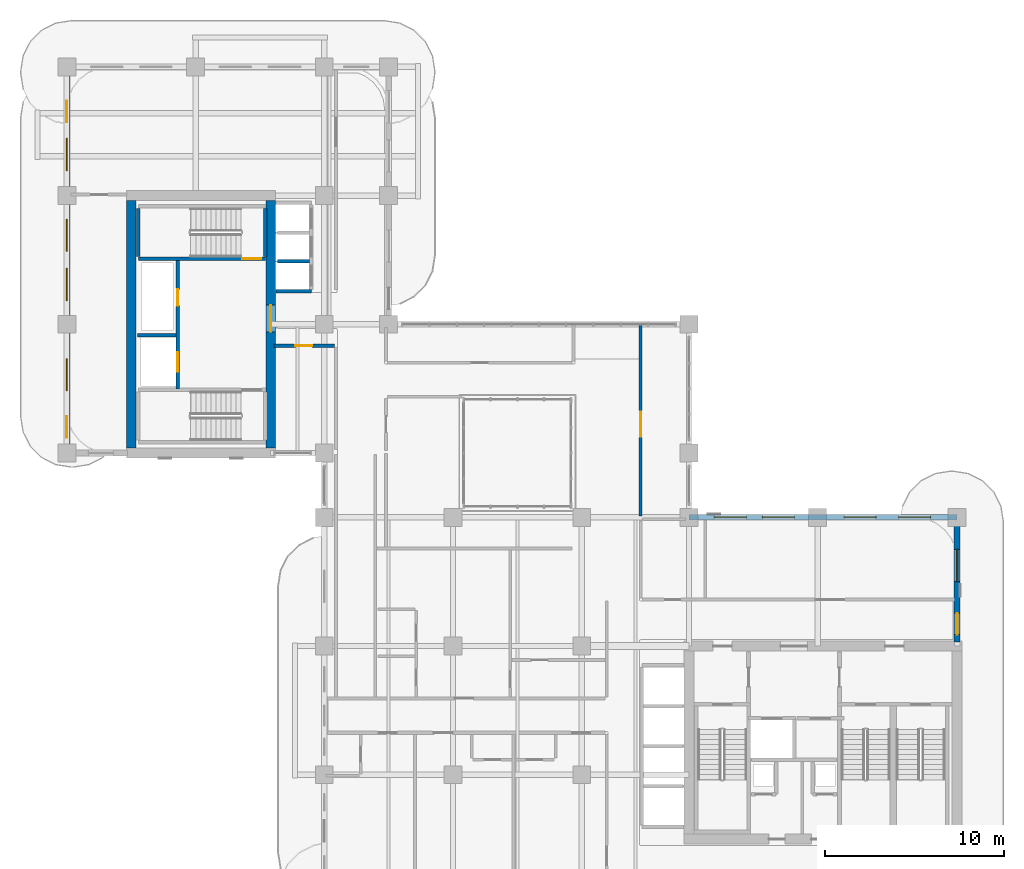
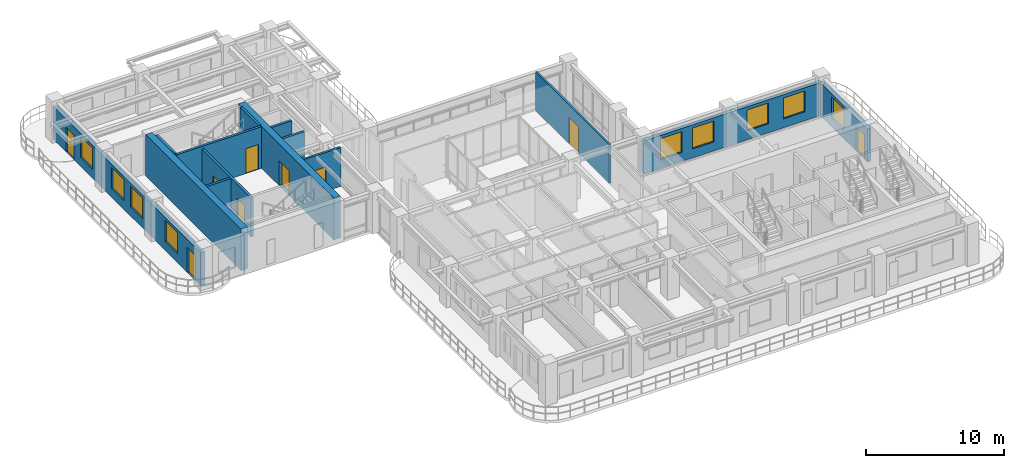
# One storey, part 14 of 20: 14 walls, 9 doors, 9 windows, 18 openings.
"""IFC4 building model written with IfcOpenShell, lengths in metres."""

from ifc_helpers import new_model, si_unit, derived_unit, direction, frame, frame_2d, origin, place, context, subcontext, project, spatial, rectangle, extrude, source, transform, mapped, material, layer, layer_set, type_object, type_shapes, element, fill, save


model = new_model("IFC4")

# Units and contexts
model_context = context("Model", 3, precision=1e-05, world=origin(), true_north=direction((0.0, 1.0)))
body_context = subcontext(model_context, "Body", "Model", "MODEL_VIEW")
ifc_project = project(units=[si_unit("LENGTHUNIT", "METRE"), si_unit("AREAUNIT", "SQUARE_METRE"), si_unit("VOLUMEUNIT", "CUBIC_METRE"), si_unit("PLANEANGLEUNIT", "RADIAN"), si_unit("MASSUNIT", "GRAM", prefix="KILO"), si_unit("THERMODYNAMICTEMPERATUREUNIT", "KELVIN"), si_unit("POWERUNIT", "WATT"), derived_unit("THERMALTRANSMITTANCEUNIT", [(si_unit("POWERUNIT", "WATT"), 1), (si_unit("AREAUNIT", "SQUARE_METRE"), -1), (si_unit("THERMODYNAMICTEMPERATUREUNIT", "KELVIN"), -1)])], contexts=[model_context])

# Site, building, storey
site_placement = place(None, origin())
site = spatial("IfcSite", under=ifc_project, at=site_placement, CompositionType="ELEMENT")
building_placement = place(site_placement, origin())
building = spatial("IfcBuilding", under=site, at=building_placement, Name="Zahravan Archway Hotel and Residences", CompositionType="ELEMENT")
storey_placement = place(building_placement, frame((0.0, 0.0, 130.300048828125)))
storey = spatial("IfcBuildingStorey", under=building, at=storey_placement, Name="L32", CompositionType="ELEMENT", Elevation=130.300048828125)

# Wall
ifc_material_1 = material(Name="Concrete C70/85", Category="concrete")
ifc_layer_1 = layer(ifc_material_1, 0.550048828125, Name="Concrete C70/85", Category="concrete")
ifc_layer_set_1 = layer_set([ifc_layer_1], Name="Concrete C70/85")
wall_type_1 = type_object("IfcWallType", Name="CW-CORE-550", PredefinedType="SHEAR", material=ifc_layer_set_1)
wall_1_placement = place(storey_placement, frame((3.60009765625, 25.47509765625, 0.0), z_axis=(0.0, 0.0, 1.0), x_axis=(0.0, 1.0, 0.0)))
element("IfcWall", 1, at=wall_1_placement, inside=storey, type_object=wall_type_1, Name="L32 Core B Shear W Wall 550 mm", PredefinedType="SHEAR", context=body_context, shape_type="SweptSolid", body=[
    extrude(rectangle(XDim=13.849853515625, YDim=0.550048828125, at=frame_2d((6.9248046875, 0.0))), origin(), (0.0, 0.0, 1.0), 3.699951171875),
])

# Wall, opening, door
wall_2_placement = place(storey_placement, frame((11.39990234375, 25.47509765625, 0.0), z_axis=(0.0, 0.0, 1.0), x_axis=(0.0, 1.0, 0.0)))
wall_2 = element("IfcWall", 2, at=wall_2_placement, inside=storey, type_object=wall_type_1, Name="L32 Core B Shear E Wall 550 mm", PredefinedType="SHEAR", context=body_context, shape_type="SweptSolid", body=[
    extrude(rectangle(XDim=13.849853515625, YDim=0.550048828125, at=frame_2d((6.9248046875, 0.0))), origin(), (0.0, 0.0, 1.0), 3.699951171875),
])
opening_1_placement = place(wall_2_placement, frame((6.4951171875, 0.0, 0.0)))
opening_1 = element("IfcOpeningElement", 3, at=opening_1_placement, cuts=wall_2, Name="Opening FD-L1", PredefinedType="OPENING", context=body_context, shape_type="SweptSolid", body=[
    extrude(rectangle(XDim=1.5, YDim=2.199951171875, at=frame_2d((0.75, 1.10009765625))), frame((0.0, 0.28515625, 0.0), z_axis=(0.0, -1.0, 0.0), x_axis=(1.0, 0.0, 0.0)), (0.0, 0.0, 1.0), 0.570068359375),
])
ifc_material_2 = material(Name="Fire-Rated Painted Steel", Category="steel")
door_type_1 = type_object("IfcDoorType", Name="FD-LOBBY-1500", OperationType="DOUBLE_DOOR_SINGLE_SWING", PredefinedType="DOOR", material=ifc_material_2)
shared_shape_1 = source(origin(), body_context, "Body", "SweptSolid", [
    extrude(rectangle(XDim=1.5, YDim=2.199951171875, at=frame_2d((0.75, 1.10009765625))), frame((0.0, 0.02490234375, 0.0), z_axis=(0.0, -1.0, 0.0), x_axis=(1.0, 0.0, 0.0)), (0.0, 0.0, 1.0), 0.050048828125),
])
type_shapes(door_type_1, [shared_shape_1])
door_1_placement = place(opening_1_placement, origin())
door_1 = element("IfcDoor", 4, at=door_1_placement, inside=storey, type_object=door_type_1, Name="L32 Core B FSAE Lobby Door", OperationType="DOUBLE_DOOR_SINGLE_SWING", OverallHeight=2.199951171875, OverallWidth=1.5, PredefinedType="DOOR", context=body_context, shape_type="MappedRepresentation", body=[
    mapped(shared_shape_1, transform((0.0, 0.0, 0.0), scale=1.0)),
])
fill(opening_1, door_1)

# Wall, openings, door, window
ifc_material_3 = material(Name="Agra Buff Sandstone & Insulated Backup", Category="masonry")
ifc_layer_2 = layer(ifc_material_3, 0.320068359375, Name="Agra Buff Sandstone & Insulated Backup", Category="masonry")
ifc_layer_set_2 = layer_set([ifc_layer_2], Name="Agra Buff Sandstone & Insulated Backup")
wall_type_2 = type_object("IfcWallType", Name="EW-SAND-320", PredefinedType="SOLIDWALL", material=ifc_layer_set_2)
wall_3_placement = place(storey_placement, frame((49.800048828125, 14.6201171875, 0.0), z_axis=(0.0, 0.0, 1.0), x_axis=(0.0, 1.0, 0.0)))
wall_3 = element("IfcWall", 5, at=wall_3_placement, inside=storey, type_object=wall_type_2, Name="L32 Exterior Sandstone Wall WA-EN", PredefinedType="SOLIDWALL", context=body_context, shape_type="SweptSolid", body=[
    extrude(rectangle(XDim=6.929931640625, YDim=0.320068359375, at=frame_2d((3.46484375, 0.0))), origin(), (0.0, 0.0, 1.0), 2.93505859375),
])
opening_2_placement = place(wall_3_placement, frame((0.419921875, 0.0, 0.0)))
opening_2 = element("IfcOpeningElement", 6, at=opening_2_placement, cuts=wall_3, Name="Opening ED-BL1", PredefinedType="OPENING", context=body_context, shape_type="SweptSolid", body=[
    extrude(rectangle(XDim=1.199951171875, YDim=2.199951171875, at=frame_2d((0.60009765625, 1.10009765625))), frame((0.0, 0.169921875, 0.0), z_axis=(0.0, -1.0, 0.0), x_axis=(1.0, 0.0, 0.0)), (0.0, 0.0, 1.0), 0.340087890625),
])
opening_3_placement = place(wall_3_placement, frame((3.384033203125, 0.0, 0.800048828125)))
opening_3 = element("IfcOpeningElement", 7, at=opening_3_placement, cuts=wall_3, Name="Opening W-02", PredefinedType="OPENING", context=body_context, shape_type="SweptSolid", body=[
    extrude(rectangle(XDim=1.800048828125, YDim=1.85009765625, at=frame_2d((0.89990234375, 0.925048828125))), frame((0.0, 0.169921875, 0.0), z_axis=(0.0, -1.0, 0.0), x_axis=(1.0, 0.0, 0.0)), (0.0, 0.0, 1.0), 0.340087890625),
])
ifc_material_4 = material(Name="Bronze-Anodized Glazed Aluminium", Category="aluminium")
door_type_2 = type_object("IfcDoorType", Name="ED-BALC-1200", OperationType="SLIDING_TO_LEFT", PredefinedType="DOOR", material=ifc_material_4)
shared_shape_2 = source(origin(), body_context, "Body", "SweptSolid", [
    extrude(rectangle(XDim=1.199951171875, YDim=2.199951171875, at=frame_2d((0.60009765625, 1.10009765625))), frame((0.0, 0.02490234375, 0.0), z_axis=(0.0, -1.0, 0.0), x_axis=(1.0, 0.0, 0.0)), (0.0, 0.0, 1.0), 0.050048828125),
])
type_shapes(door_type_2, [shared_shape_2])
door_2_placement = place(opening_2_placement, origin())
door_2 = element("IfcDoor", 8, at=door_2_placement, inside=storey, type_object=door_type_2, Name="L32 Outdoor Access Sliding Door (SLB-BAL-L32-EA)", OperationType="SLIDING_TO_LEFT", OverallHeight=2.199951171875, OverallWidth=1.199951171875, PredefinedType="DOOR", context=body_context, shape_type="MappedRepresentation", body=[
    mapped(shared_shape_2, transform((0.0, 0.0, 0.0), scale=1.0)),
])
fill(opening_2, door_2)
ifc_material_5 = material(Name="Bronze-Anodized Thermal-Break Aluminium & Low-E Glass", Category="aluminium")
window_type = type_object("IfcWindowType", Name="WIN-TWR-1800", PartitioningType="DOUBLE_PANEL_VERTICAL", PredefinedType="WINDOW", material=ifc_material_5)
shared_shape_3 = source(origin(), body_context, "Body", "SweptSolid", [
    extrude(rectangle(XDim=1.800048828125, YDim=1.85009765625, at=frame_2d((0.89990234375, 0.925048828125))), frame((0.0, 0.030029296875, 0.0), z_axis=(0.0, -1.0, 0.0), x_axis=(1.0, 0.0, 0.0)), (0.0, 0.0, 1.0), 0.06005859375),
])
type_shapes(window_type, [shared_shape_3])
window_1_placement = place(opening_3_placement, origin())
window_1 = element("IfcWindow", 9, at=window_1_placement, inside=storey, type_object=window_type, Name="L32 Loggia Window 10", OverallHeight=1.85009765625, OverallWidth=1.800048828125, PartitioningType="DOUBLE_PANEL_VERTICAL", PredefinedType="WINDOW", context=body_context, shape_type="MappedRepresentation", body=[
    mapped(shared_shape_3, transform((0.0, 0.0, 0.0), scale=1.0)),
])
fill(opening_3, window_1)

# Wall, openings, windows
wall_4_placement = place(storey_placement, frame((34.800048828125, 21.60009765625, 0.0), z_axis=(0.0, 0.0, 1.0), x_axis=(1.0, 0.0, 0.0)))
wall_4 = element("IfcWall", 10, at=wall_4_placement, inside=storey, type_object=wall_type_2, Name="L32 Exterior Sandstone Wall WA-NE", PredefinedType="SOLIDWALL", context=body_context, shape_type="SweptSolid", body=[
    extrude(rectangle(XDim=15.0, YDim=0.320068359375, at=frame_2d((7.5, 0.0))), origin(), (0.0, 0.0, 1.0), 2.93505859375),
])
opening_4_placement = place(wall_4_placement, frame((1.406005859375, 0.0, 0.800048828125)))
opening_4 = element("IfcOpeningElement", 11, at=opening_4_placement, cuts=wall_4, Name="Opening W-02", PredefinedType="OPENING", context=body_context, shape_type="SweptSolid", body=[
    extrude(rectangle(XDim=1.800048828125, YDim=1.85009765625, at=frame_2d((0.89990234375, 0.925048828125))), frame((0.0, 0.169921875, 0.0), z_axis=(0.0, -1.0, 0.0), x_axis=(1.0, 0.0, 0.0)), (0.0, 0.0, 1.0), 0.340087890625),
])
opening_5_placement = place(wall_4_placement, frame((4.10205078125, 0.0, 0.800048828125)))
opening_5 = element("IfcOpeningElement", 12, at=opening_5_placement, cuts=wall_4, Name="Opening W-02", PredefinedType="OPENING", context=body_context, shape_type="SweptSolid", body=[
    extrude(rectangle(XDim=1.800048828125, YDim=1.85009765625, at=frame_2d((0.89990234375, 0.925048828125))), frame((0.0, 0.169921875, 0.0), z_axis=(0.0, -1.0, 0.0), x_axis=(1.0, 0.0, 0.0)), (0.0, 0.0, 1.0), 0.340087890625),
])
opening_6_placement = place(wall_4_placement, frame((8.675048828125, 0.0, 0.800048828125)))
opening_6 = element("IfcOpeningElement", 13, at=opening_6_placement, cuts=wall_4, Name="Opening W-02", PredefinedType="OPENING", context=body_context, shape_type="SweptSolid", body=[
    extrude(rectangle(XDim=1.800048828125, YDim=1.85009765625, at=frame_2d((0.89990234375, 0.925048828125))), frame((0.0, 0.169921875, 0.0), z_axis=(0.0, -1.0, 0.0), x_axis=(1.0, 0.0, 0.0)), (0.0, 0.0, 1.0), 0.340087890625),
])
opening_7_placement = place(wall_4_placement, frame((11.72509765625, 0.0, 0.800048828125)))
opening_7 = element("IfcOpeningElement", 14, at=opening_7_placement, cuts=wall_4, Name="Opening W-02", PredefinedType="OPENING", context=body_context, shape_type="SweptSolid", body=[
    extrude(rectangle(XDim=1.800048828125, YDim=1.85009765625, at=frame_2d((0.89990234375, 0.925048828125))), frame((0.0, 0.169921875, 0.0), z_axis=(0.0, -1.0, 0.0), x_axis=(1.0, 0.0, 0.0)), (0.0, 0.0, 1.0), 0.340087890625),
])
window_2_placement = place(opening_4_placement, origin())
window_2 = element("IfcWindow", 15, at=window_2_placement, inside=storey, type_object=window_type, Name="L32 Loggia Window 11", OverallHeight=1.85009765625, OverallWidth=1.800048828125, PartitioningType="DOUBLE_PANEL_VERTICAL", PredefinedType="WINDOW", context=body_context, shape_type="MappedRepresentation", body=[
    mapped(shared_shape_3, transform((0.0, 0.0, 0.0), scale=1.0)),
])
fill(opening_4, window_2)
window_3_placement = place(opening_5_placement, origin())
window_3 = element("IfcWindow", 16, at=window_3_placement, inside=storey, type_object=window_type, Name="L32 Loggia Window 12", OverallHeight=1.85009765625, OverallWidth=1.800048828125, PartitioningType="DOUBLE_PANEL_VERTICAL", PredefinedType="WINDOW", context=body_context, shape_type="MappedRepresentation", body=[
    mapped(shared_shape_3, transform((0.0, 0.0, 0.0), scale=1.0)),
])
fill(opening_5, window_3)
window_4_placement = place(opening_6_placement, origin())
window_4 = element("IfcWindow", 17, at=window_4_placement, inside=storey, type_object=window_type, Name="L32 Loggia Window 13", OverallHeight=1.85009765625, OverallWidth=1.800048828125, PartitioningType="DOUBLE_PANEL_VERTICAL", PredefinedType="WINDOW", context=body_context, shape_type="MappedRepresentation", body=[
    mapped(shared_shape_3, transform((0.0, 0.0, 0.0), scale=1.0)),
])
fill(opening_6, window_4)
window_5_placement = place(opening_7_placement, origin())
window_5 = element("IfcWindow", 18, at=window_5_placement, inside=storey, type_object=window_type, Name="L32 Loggia Window 14", OverallHeight=1.85009765625, OverallWidth=1.800048828125, PartitioningType="DOUBLE_PANEL_VERTICAL", PredefinedType="WINDOW", context=body_context, shape_type="MappedRepresentation", body=[
    mapped(shared_shape_3, transform((0.0, 0.0, 0.0), scale=1.0)),
])
fill(opening_7, window_5)

# Wall, openings, doors, windows
wall_5_placement = place(storey_placement, frame((0.0, 25.25, 0.0), z_axis=(0.0, 0.0, 1.0), x_axis=(0.0, 1.0, 0.0)))
wall_5 = element("IfcWall", 19, at=wall_5_placement, inside=storey, type_object=wall_type_2, Name="L32 Exterior Sandstone Wall WB-W", PredefinedType="SOLIDWALL", context=body_context, shape_type="SweptSolid", body=[
    extrude(rectangle(XDim=21.5, YDim=0.320068359375, at=frame_2d((10.75, 0.0))), origin(), (0.0, 0.0, 1.0), 2.93505859375),
])
opening_8_placement = place(wall_5_placement, frame((18.449951171875, 0.0, 0.0)))
opening_8 = element("IfcOpeningElement", 20, at=opening_8_placement, cuts=wall_5, Name="Opening ED-BL1", PredefinedType="OPENING", context=body_context, shape_type="SweptSolid", body=[
    extrude(rectangle(XDim=1.199951171875, YDim=2.199951171875, at=frame_2d((0.60009765625, 1.10009765625))), frame((0.0, 0.169921875, 0.0), z_axis=(0.0, -1.0, 0.0), x_axis=(1.0, 0.0, 0.0)), (0.0, 0.0, 1.0), 0.340087890625),
])
opening_9_placement = place(wall_5_placement, frame((0.800048828125, 0.0, 0.0)))
opening_9 = element("IfcOpeningElement", 21, at=opening_9_placement, cuts=wall_5, Name="Opening ED-BL1", PredefinedType="OPENING", context=body_context, shape_type="SweptSolid", body=[
    extrude(rectangle(XDim=1.199951171875, YDim=2.199951171875, at=frame_2d((0.60009765625, 1.10009765625))), frame((0.0, 0.169921875, 0.0), z_axis=(0.0, -1.0, 0.0), x_axis=(1.0, 0.0, 0.0)), (0.0, 0.0, 1.0), 0.340087890625),
])
opening_10_placement = place(wall_5_placement, frame((3.425048828125, 0.0, 0.800048828125)))
opening_10 = element("IfcOpeningElement", 22, at=opening_10_placement, cuts=wall_5, Name="Opening W-02", PredefinedType="OPENING", context=body_context, shape_type="SweptSolid", body=[
    extrude(rectangle(XDim=1.800048828125, YDim=1.85009765625, at=frame_2d((0.89990234375, 0.925048828125))), frame((0.0, 0.169921875, 0.0), z_axis=(0.0, -1.0, 0.0), x_axis=(1.0, 0.0, 0.0)), (0.0, 0.0, 1.0), 0.340087890625),
])
opening_11_placement = place(wall_5_placement, frame((8.47509765625, 0.0, 0.800048828125)))
opening_11 = element("IfcOpeningElement", 23, at=opening_11_placement, cuts=wall_5, Name="Opening W-02", PredefinedType="OPENING", context=body_context, shape_type="SweptSolid", body=[
    extrude(rectangle(XDim=1.800048828125, YDim=1.85009765625, at=frame_2d((0.89990234375, 0.925048828125))), frame((0.0, 0.169921875, 0.0), z_axis=(0.0, -1.0, 0.0), x_axis=(1.0, 0.0, 0.0)), (0.0, 0.0, 1.0), 0.340087890625),
])
opening_12_placement = place(wall_5_placement, frame((11.22509765625, 0.0, 0.800048828125)))
opening_12 = element("IfcOpeningElement", 24, at=opening_12_placement, cuts=wall_5, Name="Opening W-02", PredefinedType="OPENING", context=body_context, shape_type="SweptSolid", body=[
    extrude(rectangle(XDim=1.800048828125, YDim=1.85009765625, at=frame_2d((0.89990234375, 0.925048828125))), frame((0.0, 0.169921875, 0.0), z_axis=(0.0, -1.0, 0.0), x_axis=(1.0, 0.0, 0.0)), (0.0, 0.0, 1.0), 0.340087890625),
])
opening_13_placement = place(wall_5_placement, frame((15.75, 0.0, 0.800048828125)))
opening_13 = element("IfcOpeningElement", 25, at=opening_13_placement, cuts=wall_5, Name="Opening W-02", PredefinedType="OPENING", context=body_context, shape_type="SweptSolid", body=[
    extrude(rectangle(XDim=1.800048828125, YDim=1.85009765625, at=frame_2d((0.89990234375, 0.925048828125))), frame((0.0, 0.169921875, 0.0), z_axis=(0.0, -1.0, 0.0), x_axis=(1.0, 0.0, 0.0)), (0.0, 0.0, 1.0), 0.340087890625),
])
door_3_placement = place(opening_8_placement, origin())
door_3 = element("IfcDoor", 26, at=door_3_placement, inside=storey, type_object=door_type_2, Name="L32 Outdoor Access Sliding Door (SLB-BAL-L32-NB)", OperationType="SLIDING_TO_LEFT", OverallHeight=2.199951171875, OverallWidth=1.199951171875, PredefinedType="DOOR", context=body_context, shape_type="MappedRepresentation", body=[
    mapped(shared_shape_2, transform((0.0, 0.0, 0.0), scale=1.0)),
])
fill(opening_8, door_3)
door_4_placement = place(opening_9_placement, origin())
door_4 = element("IfcDoor", 27, at=door_4_placement, inside=storey, type_object=door_type_2, Name="L32 Outdoor Access Sliding Door (SLB-BAL-L32-WB)", OperationType="SLIDING_TO_LEFT", OverallHeight=2.199951171875, OverallWidth=1.199951171875, PredefinedType="DOOR", context=body_context, shape_type="MappedRepresentation", body=[
    mapped(shared_shape_2, transform((0.0, 0.0, 0.0), scale=1.0)),
])
fill(opening_9, door_4)
window_6_placement = place(opening_10_placement, origin())
window_6 = element("IfcWindow", 28, at=window_6_placement, inside=storey, type_object=window_type, Name="L32 Loggia Window 22", OverallHeight=1.85009765625, OverallWidth=1.800048828125, PartitioningType="DOUBLE_PANEL_VERTICAL", PredefinedType="WINDOW", context=body_context, shape_type="MappedRepresentation", body=[
    mapped(shared_shape_3, transform((0.0, 0.0, 0.0), scale=1.0)),
])
fill(opening_10, window_6)
window_7_placement = place(opening_11_placement, origin())
window_7 = element("IfcWindow", 29, at=window_7_placement, inside=storey, type_object=window_type, Name="L32 Loggia Window 23", OverallHeight=1.85009765625, OverallWidth=1.800048828125, PartitioningType="DOUBLE_PANEL_VERTICAL", PredefinedType="WINDOW", context=body_context, shape_type="MappedRepresentation", body=[
    mapped(shared_shape_3, transform((0.0, 0.0, 0.0), scale=1.0)),
])
fill(opening_11, window_7)
window_8_placement = place(opening_12_placement, origin())
window_8 = element("IfcWindow", 30, at=window_8_placement, inside=storey, type_object=window_type, Name="L32 Loggia Window 24", OverallHeight=1.85009765625, OverallWidth=1.800048828125, PartitioningType="DOUBLE_PANEL_VERTICAL", PredefinedType="WINDOW", context=body_context, shape_type="MappedRepresentation", body=[
    mapped(shared_shape_3, transform((0.0, 0.0, 0.0), scale=1.0)),
])
fill(opening_12, window_8)
window_9_placement = place(opening_13_placement, origin())
window_9 = element("IfcWindow", 31, at=window_9_placement, inside=storey, type_object=window_type, Name="L32 Loggia Window 25", OverallHeight=1.85009765625, OverallWidth=1.800048828125, PartitioningType="DOUBLE_PANEL_VERTICAL", PredefinedType="WINDOW", context=body_context, shape_type="MappedRepresentation", body=[
    mapped(shared_shape_3, transform((0.0, 0.0, 0.0), scale=1.0)),
])
fill(opening_13, window_9)

# Wall, openings, doors
ifc_material_6 = material(Name="Fire-Rated Gypsum & Concrete Block", Category="concrete")
ifc_layer_3 = layer(ifc_material_6, 0.199951171875, Name="Fire-Rated Gypsum & Concrete Block", Category="concrete")
ifc_layer_set_3 = layer_set([ifc_layer_3], Name="Fire-Rated Gypsum & Concrete Block")
wall_type_3 = type_object("IfcWallType", Name="PW-SHAFT-200", PredefinedType="PARTITIONING", material=ifc_layer_set_3)
wall_6_placement = place(storey_placement, frame((6.199951171875, 28.7900390625, 0.0), z_axis=(0.0, 0.0, 1.0), x_axis=(0.0, 1.0, 0.0)))
wall_6 = element("IfcWall", 32, at=wall_6_placement, inside=storey, type_object=wall_type_3, Name="L32 Partition CB-FL3E", PredefinedType="PARTITIONING", context=body_context, shape_type="SweptSolid", body=[
    extrude(rectangle(XDim=7.219970703125, YDim=0.199951171875, at=frame_2d((3.60986328125, 0.0))), origin(), (0.0, 0.0, 1.0), 3.449951171875),
])
opening_14_placement = place(wall_6_placement, frame((4.659912109375, 0.0, 0.0)))
opening_14 = element("IfcOpeningElement", 33, at=opening_14_placement, cuts=wall_6, Name="Opening FD-R1", PredefinedType="OPENING", context=body_context, shape_type="SweptSolid", body=[
    extrude(rectangle(XDim=0.89990234375, YDim=2.10009765625, at=frame_2d((0.449951171875, 1.050048828125))), frame((0.0, 0.10986328125, 0.0), z_axis=(0.0, -1.0, 0.0), x_axis=(1.0, 0.0, 0.0)), (0.0, 0.0, 1.0), 0.219970703125),
])
opening_15_placement = place(wall_6_placement, frame((0.9599609375, 0.0, 0.0)))
opening_15 = element("IfcOpeningElement", 34, at=opening_15_placement, cuts=wall_6, Name="Opening LD", PredefinedType="OPENING", context=body_context, shape_type="SweptSolid", body=[
    extrude(rectangle(XDim=1.10009765625, YDim=2.199951171875, at=frame_2d((0.550048828125, 1.10009765625))), frame((0.0, 0.10986328125, 0.0), z_axis=(0.0, -1.0, 0.0), x_axis=(1.0, 0.0, 0.0)), (0.0, 0.0, 1.0), 0.219970703125),
])
door_type_3 = type_object("IfcDoorType", Name="FD-RISER-900", OperationType="NOTDEFINED", PredefinedType="DOOR", material=ifc_material_2)
shared_shape_4 = source(origin(), body_context, "Body", "SweptSolid", [
    extrude(rectangle(XDim=0.89990234375, YDim=2.10009765625, at=frame_2d((0.449951171875, 1.050048828125))), frame((0.0, 0.02490234375, 0.0), z_axis=(0.0, -1.0, 0.0), x_axis=(1.0, 0.0, 0.0)), (0.0, 0.0, 1.0), 0.050048828125),
])
type_shapes(door_type_3, [shared_shape_4])
door_5_placement = place(opening_14_placement, origin())
door_5 = element("IfcDoor", 35, at=door_5_placement, inside=storey, type_object=door_type_3, Name="L32 Core B Riser Door", OperationType="SINGLE_SWING_LEFT", OverallHeight=2.10009765625, OverallWidth=0.89990234375, PredefinedType="DOOR", context=body_context, shape_type="MappedRepresentation", body=[
    mapped(shared_shape_4, transform((0.0, 0.0, 0.0), scale=1.0)),
])
fill(opening_14, door_5)
ifc_material_7 = material(Name="Brushed Stainless Steel", Category="steel")
door_type_4 = type_object("IfcDoorType", Name="DR-LIFT-LD", OperationType="SLIDING_TO_LEFT", PredefinedType="DOOR", material=ifc_material_7)
shared_shape_5 = source(origin(), body_context, "Body", "SweptSolid", [
    extrude(rectangle(XDim=1.10009765625, YDim=2.199951171875, at=frame_2d((0.550048828125, 1.10009765625))), frame((0.0, 0.02490234375, 0.0), z_axis=(0.0, -1.0, 0.0), x_axis=(1.0, 0.0, 0.0)), (0.0, 0.0, 1.0), 0.050048828125),
])
type_shapes(door_type_4, [shared_shape_5])
door_6_placement = place(opening_15_placement, origin())
door_6 = element("IfcDoor", 36, at=door_6_placement, inside=storey, type_object=door_type_4, Name="L32 Lift FL-3 Sliding Landing Door", OperationType="SLIDING_TO_LEFT", OverallHeight=2.199951171875, OverallWidth=1.10009765625, PredefinedType="DOOR", context=body_context, shape_type="MappedRepresentation", body=[
    mapped(shared_shape_5, transform((0.0, 0.0, 0.0), scale=1.0)),
])
fill(opening_15, door_6)

# Walls
wall_7_placement = place(storey_placement, frame((3.9599609375, 31.780029296875, 0.0), z_axis=(0.0, 0.0, 1.0), x_axis=(1.0, 0.0, 0.0)))
element("IfcWall", 37, at=wall_7_placement, inside=storey, type_object=wall_type_3, Name="L32 Partition CB-FL3N", PredefinedType="PARTITIONING", context=body_context, shape_type="SweptSolid", body=[
    extrude(rectangle(XDim=2.130126953125, YDim=0.199951171875, at=frame_2d((1.06494140625, 0.0))), origin(), (0.0, 0.0, 1.0), 3.449951171875),
])
wall_8_placement = place(storey_placement, frame((11.68505859375, 34.25, 0.0), z_axis=(0.0, 0.0, 1.0), x_axis=(1.0, 0.0, 0.0)))
element("IfcWall", 38, at=wall_8_placement, inside=storey, type_object=wall_type_3, Name="L32 Partition B2-S", PredefinedType="PARTITIONING", context=body_context, shape_type="SweptSolid", body=[
    extrude(rectangle(XDim=1.98486328125, YDim=0.199951171875, at=frame_2d((0.992431640625, 0.0))), origin(), (0.0, 0.0, 1.0), 3.449951171875),
])
wall_9_placement = place(storey_placement, frame((11.784912109375, 35.919921875, 0.0), z_axis=(0.0, 0.0, 1.0), x_axis=(1.0, 0.0, 0.0)))
element("IfcWall", 39, at=wall_9_placement, inside=storey, type_object=wall_type_3, Name="L32 Partition B2-D", PredefinedType="PARTITIONING", context=body_context, shape_type="SweptSolid", body=[
    extrude(rectangle(XDim=1.78515625, YDim=0.199951171875, at=frame_2d((0.892578125, 0.0))), origin(), (0.0, 0.0, 1.0), 3.449951171875),
])

# Wall, opening, door
ifc_material_8 = material(Name="Acoustic Stud Partition")
ifc_layer_4 = layer(ifc_material_8, 0.169921875, Name="Acoustic Stud Partition")
ifc_layer_set_4 = layer_set([ifc_layer_4], Name="Acoustic Stud Partition")
wall_type_4 = type_object("IfcWallType", Name="PW-UNIT-170", PredefinedType="PARTITIONING", material=ifc_layer_set_4)
wall_10_placement = place(storey_placement, frame((11.590087890625, 31.199951171875, 0.0), z_axis=(0.0, 0.0, 1.0), x_axis=(1.0, 0.0, 0.0)))
wall_10 = element("IfcWall", 40, at=wall_10_placement, inside=storey, type_object=wall_type_4, Name="L32 Partition FB1-N", PredefinedType="PARTITIONING", context=body_context, shape_type="SweptSolid", body=[
    extrude(rectangle(XDim=3.369873046875, YDim=0.169921875, at=frame_2d((1.68505859375, 0.0))), origin(), (0.0, 0.0, 1.0), 3.449951171875),
])
opening_16_placement = place(wall_10_placement, frame((1.18505859375, 0.0, 0.0)))
opening_16 = element("IfcOpeningElement", 41, at=opening_16_placement, cuts=wall_10, Name="Opening D-I1", PredefinedType="OPENING", context=body_context, shape_type="SweptSolid", body=[
    extrude(rectangle(XDim=0.949951171875, YDim=2.14990234375, at=frame_2d((0.47509765625, 1.074951171875))), frame((0.0, 0.094970703125, 0.0), z_axis=(0.0, -1.0, 0.0), x_axis=(1.0, 0.0, 0.0)), (0.0, 0.0, 1.0), 0.18994140625),
])
ifc_material_9 = material(Name="Hardwood Veneer Timber", Category="wood")
door_type_5 = type_object("IfcDoorType", Name="ID-INT-950", OperationType="NOTDEFINED", PredefinedType="DOOR", material=ifc_material_9)
shared_shape_6 = source(origin(), body_context, "Body", "SweptSolid", [
    extrude(rectangle(XDim=0.949951171875, YDim=2.14990234375, at=frame_2d((0.47509765625, 1.074951171875))), frame((0.0, 0.02490234375, 0.0), z_axis=(0.0, -1.0, 0.0), x_axis=(1.0, 0.0, 0.0)), (0.0, 0.0, 1.0), 0.050048828125),
])
type_shapes(door_type_5, [shared_shape_6])
door_7_placement = place(opening_16_placement, origin())
door_7 = element("IfcDoor", 42, at=door_7_placement, inside=storey, type_object=door_type_5, Name="L32 Freed Bank 1 Reading Salon Door", OperationType="SINGLE_SWING_LEFT", OverallHeight=2.14990234375, OverallWidth=0.949951171875, PredefinedType="DOOR", context=body_context, shape_type="MappedRepresentation", body=[
    mapped(shared_shape_6, transform((0.0, 0.0, 0.0), scale=1.0)),
])
fill(opening_16, door_7)

wall_11_placement = place(storey_placement, frame((32.10009765625, 21.669921875, 0.0), z_axis=(0.0, 0.0, 1.0), x_axis=(0.0, 1.0, 0.0)))
wall_11 = element("IfcWall", 43, at=wall_11_placement, inside=storey, type_object=wall_type_4, Name="L32 Partition ATR-E", PredefinedType="PARTITIONING", context=body_context, shape_type="SweptSolid", body=[
    extrude(rectangle(XDim=10.7021484375, YDim=0.169921875, at=frame_2d((5.35107421875, 0.0))), origin(), (0.0, 0.0, 1.0), 3.449951171875),
])
opening_17_placement = place(wall_11_placement, frame((4.429931640625, 0.0, 0.0)))
opening_17 = element("IfcOpeningElement", 44, at=opening_17_placement, cuts=wall_11, Name="Opening D-P1", PredefinedType="OPENING", context=body_context, shape_type="SweptSolid", body=[
    extrude(rectangle(XDim=1.39990234375, YDim=2.35009765625, at=frame_2d((0.699951171875, 1.175048828125))), frame((0.0, 0.094970703125, 0.0), z_axis=(0.0, -1.0, 0.0), x_axis=(1.0, 0.0, 0.0)), (0.0, 0.0, 1.0), 0.18994140625),
])
door_type_6 = type_object("IfcDoorType", Name="ID-PUBLIC-1400", OperationType="DOUBLE_DOOR_SINGLE_SWING", PredefinedType="DOOR", material=ifc_material_4)
shared_shape_7 = source(origin(), body_context, "Body", "SweptSolid", [
    extrude(rectangle(XDim=1.39990234375, YDim=2.35009765625, at=frame_2d((0.699951171875, 1.175048828125))), frame((0.0, 0.02490234375, 0.0), z_axis=(0.0, -1.0, 0.0), x_axis=(1.0, 0.0, 0.0)), (0.0, 0.0, 1.0), 0.050048828125),
])
type_shapes(door_type_6, [shared_shape_7])
door_8_placement = place(opening_17_placement, origin())
door_8 = element("IfcDoor", 45, at=door_8_placement, inside=storey, type_object=door_type_6, Name="L32 Atrium Gallery Cafe Door", OperationType="DOUBLE_DOOR_SINGLE_SWING", OverallHeight=2.35009765625, OverallWidth=1.39990234375, PredefinedType="DOOR", context=body_context, shape_type="MappedRepresentation", body=[
    mapped(shared_shape_7, transform((0.0, 0.0, 0.0), scale=1.0)),
])
fill(opening_17, door_8)

# Walls
ifc_material_10 = material(Name="Concrete C50/60", Category="concrete")
ifc_layer_5 = layer(ifc_material_10, 0.199951171875, Name="Concrete C50/60", Category="concrete")
ifc_layer_set_5 = layer_set([ifc_layer_5], Name="Concrete C50/60")
wall_type_5 = type_object("IfcWallType", Name="SW-STAIR-200", PredefinedType="SHEAR", material=ifc_layer_set_5)
for number, where, z_axis, x_axis, name in (
    (46, (4.0, 36.179931640625, 0.0), (0.0, 0.0, 1.0), (0.0, 1.0, 0.0), "L32 Stairwell RC Wall CB-SB2W"),
    (47, (11.10009765625, 36.179931640625, 0.0), (0.0, 0.0, 1.0), (0.0, 1.0, 0.0), "L32 Stairwell RC Wall CB-SB2E"),
):
    element("IfcWall", number, at=place(storey_placement, frame(where, z_axis=z_axis, x_axis=x_axis)), inside=storey, type_object=wall_type_5, Name=name, PredefinedType="SHEAR", context=body_context, shape_type="SweptSolid", body=[
        extrude(rectangle(XDim=2.699951171875, YDim=0.199951171875, at=frame_2d((1.35009765625, 0.0))), origin(), (0.0, 0.0, 1.0), 3.699951171875),
    ])

# Wall, opening, door
wall_12_placement = place(storey_placement, frame((4.0, 36.06005859375, 0.0), z_axis=(0.0, 0.0, 1.0), x_axis=(1.0, 0.0, 0.0)))
wall_12 = element("IfcWall", 48, at=wall_12_placement, inside=storey, type_object=wall_type_5, Name="L32 Stairwell RC Wall CB-SB2S", PredefinedType="SHEAR", context=body_context, shape_type="SweptSolid", body=[
    extrude(rectangle(XDim=7.10009765625, YDim=0.199951171875, at=frame_2d((3.550048828125, 0.0))), origin(), (0.0, 0.0, 1.0), 3.699951171875),
])
opening_18_placement = place(wall_12_placement, frame((5.81494140625, 0.0, 0.0)))
opening_18 = element("IfcOpeningElement", 49, at=opening_18_placement, cuts=wall_12, Name="Opening FD-S1", PredefinedType="OPENING", context=body_context, shape_type="SweptSolid", body=[
    extrude(rectangle(XDim=1.050048828125, YDim=2.199951171875, at=frame_2d((0.52490234375, 1.10009765625))), frame((0.0, 0.10986328125, 0.0), z_axis=(0.0, -1.0, 0.0), x_axis=(1.0, 0.0, 0.0)), (0.0, 0.0, 1.0), 0.219970703125),
])
door_type_7 = type_object("IfcDoorType", Name="FD-STAIR-1100", OperationType="NOTDEFINED", PredefinedType="DOOR", material=ifc_material_2)
shared_shape_8 = source(origin(), body_context, "Body", "SweptSolid", [
    extrude(rectangle(XDim=1.050048828125, YDim=2.199951171875, at=frame_2d((0.52490234375, 1.10009765625))), frame((0.0, 0.02490234375, 0.0), z_axis=(0.0, -1.0, 0.0), x_axis=(1.0, 0.0, 0.0)), (0.0, 0.0, 1.0), 0.050048828125),
])
type_shapes(door_type_7, [shared_shape_8])
door_9_placement = place(opening_18_placement, origin())
door_9 = element("IfcDoor", 50, at=door_9_placement, inside=storey, type_object=door_type_7, Name="L32 Stair ST-B2 Door", OperationType="SINGLE_SWING_RIGHT", OverallHeight=2.199951171875, OverallWidth=1.050048828125, PredefinedType="DOOR", context=body_context, shape_type="MappedRepresentation", body=[
    mapped(shared_shape_8, transform((0.0, 0.0, 0.0), scale=1.0)),
])
fill(opening_18, door_9)

save(model, "model.ifc")
